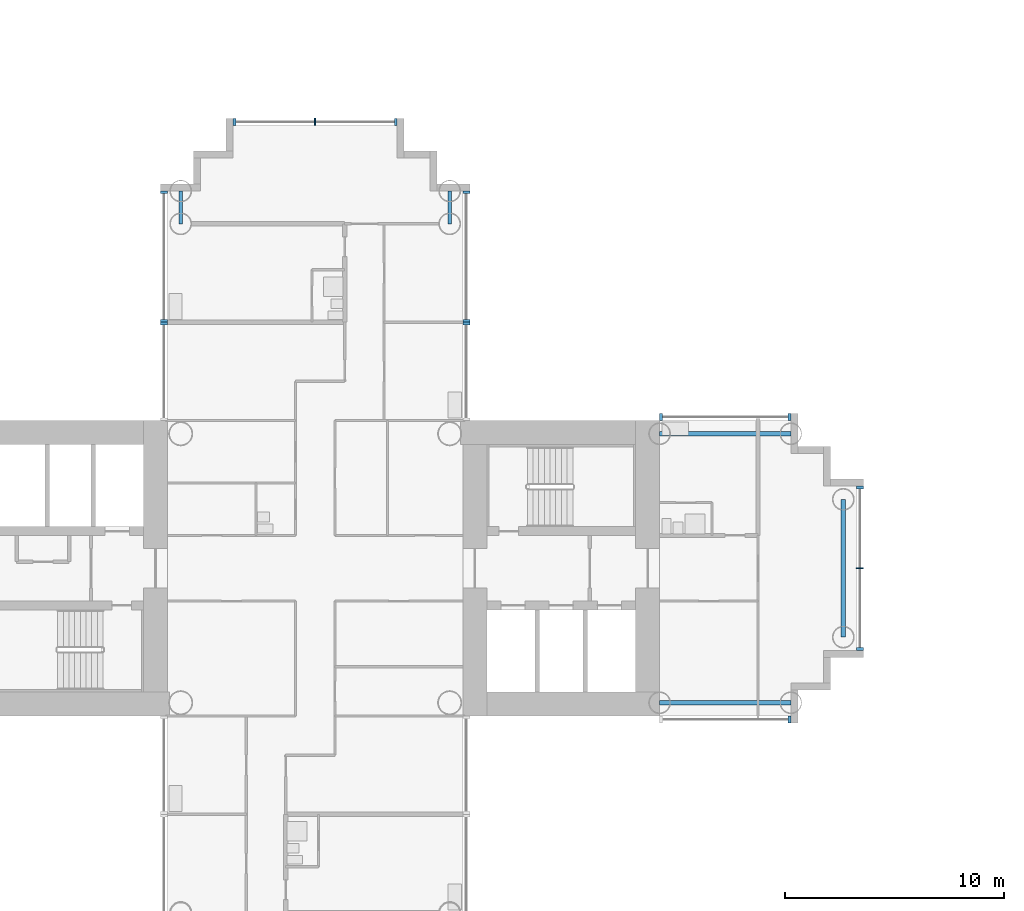
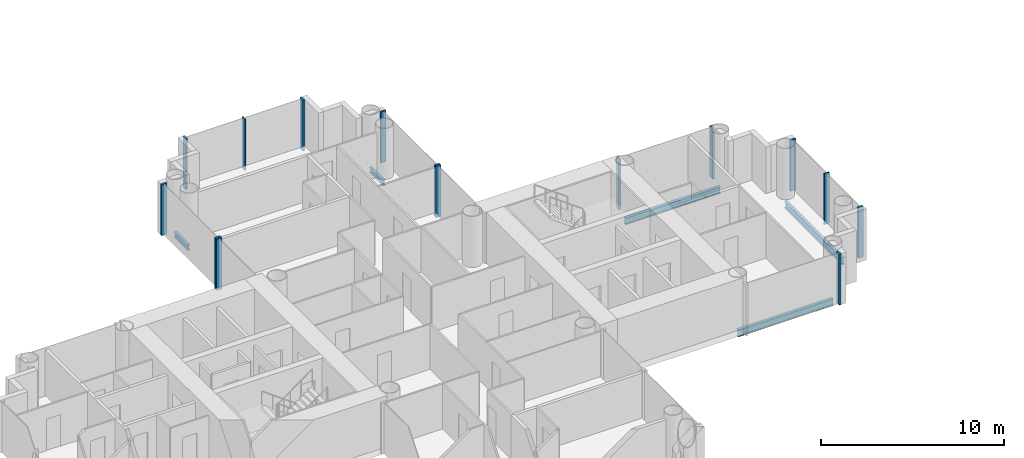
# One storey, part 4 of 22: 15 members, 5 beams, 8 elements without a shape of their own.
"""IFC4 building model written with IfcOpenShell, lengths in metres."""

from ifc_helpers import new_model, si_unit, direction, frame, origin, origin_2d, place, context, subcontext, project, spatial, rectangle, i_section, extrude, material, layer, layer_set, material_profile, profile_set, type_object, element, aggregate, save


model = new_model("IFC4")

# Units and contexts
model_context = context("Model", 3, precision=1e-05, world=origin(), true_north=direction((0.0, 1.0)))
body_context = subcontext(model_context, "Body", "Model", "MODEL_VIEW")
ifc_project = project(units=[si_unit("LENGTHUNIT", "METRE"), si_unit("AREAUNIT", "SQUARE_METRE"), si_unit("VOLUMEUNIT", "CUBIC_METRE"), si_unit("PLANEANGLEUNIT", "RADIAN"), si_unit("MASSUNIT", "GRAM", prefix="KILO")], contexts=[model_context])

# Site, building, storey
site_placement = place(None, origin())
site = spatial("IfcSite", under=ifc_project, at=site_placement, CompositionType="ELEMENT")
building_placement = place(site_placement, origin())
building = spatial("IfcBuilding", under=site, at=building_placement, Name="Ipe Terrace Towers", CompositionType="ELEMENT")
storey_placement = place(building_placement, frame((0.0, 0.0, 61.89990234375)))
storey = spatial("IfcBuildingStorey", under=building, at=storey_placement, Name="L16", CompositionType="ELEMENT", Elevation=61.89990234375)

# Beams
ifc_material_1 = material(Name="Steel S355", Category="steel")
ifc_material_profile_1 = material_profile(ifc_material_1, i_section(OverallWidth=0.175048828125, OverallDepth=0.35009765625, WebThickness=0.007080078125, FlangeThickness=0.010986328125, at=origin_2d()), Name="H-350x175x7x11")
ifc_profile_set_1 = profile_set([ifc_material_profile_1], Name="Steel S355")
beam_type_1 = type_object("IfcBeamType", Name="H04 EDGE BEAM H-350x175x7x11", PredefinedType="BEAM", material=ifc_profile_set_1)
for number, where, z_axis, x_axis, name in (
    (1, (-29.85009765625, 15.75, -0.574951171875), (0.0, 1.0, 0.0), (-1.0, 0.0, 0.0), "Edge beam T1-EB-B03-B05"),
    (2, (-42.14990234375, 15.75, -0.574951171875), (0.0, 1.0, 0.0), (-1.0, 0.0, 0.0), "Edge beam T1-EB-B04-B06"),
):
    element("IfcBeam", number, at=place(storey_placement, frame(where, z_axis=z_axis, x_axis=x_axis)), inside=storey, type_object=beam_type_1, Name=name, PredefinedType="BEAM", context=body_context, shape_type="SweptSolid", body=[
        extrude(i_section(OverallWidth=0.175048828125, OverallDepth=0.35009765625, WebThickness=0.007080078125, FlangeThickness=0.010986328125, at=origin_2d()), origin(), (0.0, 0.0, 1.0), 1.5),
    ])
ifc_material_2 = material(Name="Steel S355", Category="steel")
ifc_material_profile_2 = material_profile(ifc_material_2, i_section(OverallWidth=0.199951171875, OverallDepth=0.449951171875, WebThickness=0.009033203125, FlangeThickness=0.013916015625, at=origin_2d()), Name="H-450x200x9x14")
ifc_profile_set_2 = profile_set([ifc_material_profile_2], Name="Steel S355")
beam_type_2 = type_object("IfcBeamType", Name="H08 EDGE BEAM H-450x200x9x14", PredefinedType="BEAM", material=ifc_profile_set_2)
for number, where, z_axis, x_axis, name in (
    (3, (-20.25, -6.14990234375, -0.625), (1.0, 0.0, 0.0), (0.0, 1.0, 0.0), "Edge beam T1-EB-A01-A03"),
    (4, (-20.25, 6.14990234375, -0.625), (1.0, 0.0, 0.0), (0.0, 1.0, 0.0), "Edge beam T1-EB-A02-A04"),
):
    element("IfcBeam", number, at=place(storey_placement, frame(where, z_axis=z_axis, x_axis=x_axis)), inside=storey, type_object=beam_type_2, Name=name, PredefinedType="BEAM", context=body_context, shape_type="SweptSolid", body=[
        extrude(i_section(OverallWidth=0.199951171875, OverallDepth=0.449951171875, WebThickness=0.009033203125, FlangeThickness=0.013916015625, at=origin_2d()), origin(), (0.0, 0.0, 1.0), 6.0),
    ])
beam_placement = place(storey_placement, frame((-11.85009765625, -3.14990234375, -0.625), z_axis=(0.0, 1.0, 0.0), x_axis=(-1.0, 0.0, 0.0)))
element("IfcBeam", 5, at=beam_placement, inside=storey, type_object=beam_type_2, Name="Edge beam T1-EB-A05-A06", PredefinedType="BEAM", context=body_context, shape_type="SweptSolid", body=[
    extrude(i_section(OverallWidth=0.199951171875, OverallDepth=0.449951171875, WebThickness=0.009033203125, FlangeThickness=0.013916015625, at=origin_2d()), origin(), (0.0, 0.0, 1.0), 6.2998046875),
])

# Curtain wall, member
ifc_material_3 = material(Name="Aluminium alloy 6063-T6", Category="aluminium")
ifc_layer = layer(ifc_material_3, 0.320068359375)
ifc_layer_set = layer_set([ifc_layer], Name="TOWER UNITISED CURTAIN WALL")
curtain_wall_type = type_object("IfcCurtainWallType", Name="TOWER UNITISED CURTAIN WALL", PredefinedType="NOTDEFINED", material=ifc_layer_set)
curtain_wall_1_placement = place(storey_placement, origin())
curtain_wall_1 = element("IfcCurtainWall", 6, at=curtain_wall_1_placement, inside=storey, type_object=curtain_wall_type, Name="T1-CW-L16-20b curtain wall", PredefinedType="NOTDEFINED")
ifc_material_4 = material(Name="Aluminium alloy 6063-T6", Category="aluminium")
ifc_material_profile_3 = material_profile(ifc_material_4, rectangle(XDim=0.320068359375, YDim=0.1201171875, at=origin_2d()), Name="TOWER UNITISED CORNER MULLION 320 x 120")
ifc_profile_set_3 = profile_set([ifc_material_profile_3], Name="Aluminium alloy 6063-T6")
member_type_1 = type_object("IfcMemberType", Name="TOWER UNITISED CORNER MULLION 320 x 120", PredefinedType="MULLION", material=ifc_profile_set_3)
member_1_placement = place(storey_placement, frame((-14.31005859375, -6.909912109375, -0.2998046875), z_axis=(0.0, 0.0, 1.0), x_axis=(0.0, -1.0, 0.0)))
member_1 = element("IfcMember", 7, at=member_1_placement, type_object=member_type_1, Name="T1-CW-L16-20b mullion 2", PredefinedType="MULLION", context=body_context, shape_type="SweptSolid", body=[
    extrude(rectangle(XDim=0.320068359375, YDim=0.1201171875, at=origin_2d()), origin(), (0.0, 0.0, 1.0), 3.39990234375),
])
aggregate(curtain_wall_1, [member_1])

# Curtain wall, members
curtain_wall_2_placement = place(storey_placement, origin())
curtain_wall_2 = element("IfcCurtainWall", 8, at=curtain_wall_2_placement, inside=storey, type_object=curtain_wall_type, Name="T1-CW-L16-25a curtain wall", PredefinedType="NOTDEFINED")
member_2_placement = place(storey_placement, frame((-11.090087890625, -3.68994140625, -0.2998046875), z_axis=(0.0, 0.0, 1.0), x_axis=(1.0, 0.0, 0.0)))
member_2 = element("IfcMember", 9, at=member_2_placement, type_object=member_type_1, Name="T1-CW-L16-25a mullion 1", PredefinedType="MULLION", context=body_context, shape_type="SweptSolid", body=[
    extrude(rectangle(XDim=0.320068359375, YDim=0.1201171875, at=origin_2d()), origin(), (0.0, 0.0, 1.0), 3.39990234375),
])
member_3_placement = place(storey_placement, frame((-11.090087890625, 3.68994140625, -0.2998046875), z_axis=(0.0, 0.0, 1.0), x_axis=(1.0, 0.0, 0.0)))
member_3 = element("IfcMember", 10, at=member_3_placement, type_object=member_type_1, Name="T1-CW-L16-25a mullion 3", PredefinedType="MULLION", context=body_context, shape_type="SweptSolid", body=[
    extrude(rectangle(XDim=0.320068359375, YDim=0.1201171875, at=origin_2d()), origin(), (0.0, 0.0, 1.0), 3.39990234375),
])

curtain_wall_3_placement = place(storey_placement, origin())
curtain_wall_3 = element("IfcCurtainWall", 11, at=curtain_wall_3_placement, inside=storey, type_object=curtain_wall_type, Name="T1-CW-L16-30a curtain wall", PredefinedType="NOTDEFINED")
member_4_placement = place(storey_placement, frame((-14.31005859375, 6.909912109375, -0.2998046875), z_axis=(0.0, 0.0, 1.0), x_axis=(0.0, 1.0, 0.0)))
member_4 = element("IfcMember", 12, at=member_4_placement, type_object=member_type_1, Name="T1-CW-L16-30a mullion 1", PredefinedType="MULLION", context=body_context, shape_type="SweptSolid", body=[
    extrude(rectangle(XDim=0.320068359375, YDim=0.1201171875, at=origin_2d()), origin(), (0.0, 0.0, 1.0), 3.39990234375),
])
member_5_placement = place(storey_placement, frame((-20.18896484375, 6.909912109375, -0.2998046875), z_axis=(0.0, 0.0, 1.0), x_axis=(0.0, 1.0, 0.0)))
member_5 = element("IfcMember", 13, at=member_5_placement, type_object=member_type_1, Name="T1-CW-L16-30a mullion 2", PredefinedType="MULLION", context=body_context, shape_type="SweptSolid", body=[
    extrude(rectangle(XDim=0.320068359375, YDim=0.1201171875, at=origin_2d()), origin(), (0.0, 0.0, 1.0), 3.39990234375),
])
aggregate(curtain_wall_3, [member_4, member_5])

# Curtain wall, member
curtain_wall_4_placement = place(storey_placement, origin())
curtain_wall_4 = element("IfcCurtainWall", 14, at=curtain_wall_4_placement, inside=storey, type_object=curtain_wall_type, Name="T1-CW-L16-32a curtain wall", PredefinedType="NOTDEFINED")
member_6_placement = place(storey_placement, frame((-29.090087890625, 11.18994140625, -0.2998046875), z_axis=(0.0, 0.0, 1.0), x_axis=(1.0, 0.0, 0.0)))
member_6 = element("IfcMember", 15, at=member_6_placement, type_object=member_type_1, Name="T1-CW-L16-32a mullion 2", PredefinedType="MULLION", context=body_context, shape_type="SweptSolid", body=[
    extrude(rectangle(XDim=0.320068359375, YDim=0.1201171875, at=origin_2d()), origin(), (0.0, 0.0, 1.0), 3.39990234375),
])
aggregate(curtain_wall_4, [member_6])

# Curtain wall, members
curtain_wall_5_placement = place(storey_placement, origin())
curtain_wall_5 = element("IfcCurtainWall", 16, at=curtain_wall_5_placement, inside=storey, type_object=curtain_wall_type, Name="T1-CW-L16-33a curtain wall", PredefinedType="NOTDEFINED")
member_7_placement = place(storey_placement, frame((-29.090087890625, 11.31005859375, -0.2998046875), z_axis=(0.0, 0.0, 1.0), x_axis=(1.0, 0.0, 0.0)))
member_7 = element("IfcMember", 17, at=member_7_placement, type_object=member_type_1, Name="T1-CW-L16-33a mullion 1", PredefinedType="MULLION", context=body_context, shape_type="SweptSolid", body=[
    extrude(rectangle(XDim=0.320068359375, YDim=0.1201171875, at=origin_2d()), origin(), (0.0, 0.0, 1.0), 3.39990234375),
])
member_8_placement = place(storey_placement, frame((-29.090087890625, 17.18994140625, -0.2998046875), z_axis=(0.0, 0.0, 1.0), x_axis=(1.0, 0.0, 0.0)))
member_8 = element("IfcMember", 18, at=member_8_placement, type_object=member_type_1, Name="T1-CW-L16-33a mullion 2", PredefinedType="MULLION", context=body_context, shape_type="SweptSolid", body=[
    extrude(rectangle(XDim=0.320068359375, YDim=0.1201171875, at=origin_2d()), origin(), (0.0, 0.0, 1.0), 3.39990234375),
])
aggregate(curtain_wall_5, [member_7, member_8])

curtain_wall_6_placement = place(storey_placement, origin())
curtain_wall_6 = element("IfcCurtainWall", 19, at=curtain_wall_6_placement, inside=storey, type_object=curtain_wall_type, Name="T1-CW-L16-38a curtain wall", PredefinedType="NOTDEFINED")
member_9_placement = place(storey_placement, frame((-32.31005859375, 20.409912109375, -0.2998046875), z_axis=(0.0, 0.0, 1.0), x_axis=(0.0, 1.0, 0.0)))
member_9 = element("IfcMember", 20, at=member_9_placement, type_object=member_type_1, Name="T1-CW-L16-38a mullion 1", PredefinedType="MULLION", context=body_context, shape_type="SweptSolid", body=[
    extrude(rectangle(XDim=0.320068359375, YDim=0.1201171875, at=origin_2d()), origin(), (0.0, 0.0, 1.0), 3.39990234375),
])
member_10_placement = place(storey_placement, frame((-39.68994140625, 20.409912109375, -0.2998046875), z_axis=(0.0, 0.0, 1.0), x_axis=(0.0, 1.0, 0.0)))
member_10 = element("IfcMember", 21, at=member_10_placement, type_object=member_type_1, Name="T1-CW-L16-38a mullion 3", PredefinedType="MULLION", context=body_context, shape_type="SweptSolid", body=[
    extrude(rectangle(XDim=0.320068359375, YDim=0.1201171875, at=origin_2d()), origin(), (0.0, 0.0, 1.0), 3.39990234375),
])

curtain_wall_7_placement = place(storey_placement, origin())
curtain_wall_7 = element("IfcCurtainWall", 22, at=curtain_wall_7_placement, inside=storey, type_object=curtain_wall_type, Name="T1-CW-L16-43a curtain wall", PredefinedType="NOTDEFINED")
member_11_placement = place(storey_placement, frame((-42.909912109375, 17.18994140625, -0.2998046875), z_axis=(0.0, 0.0, 1.0), x_axis=(-1.0, 0.0, 0.0)))
member_11 = element("IfcMember", 23, at=member_11_placement, type_object=member_type_1, Name="T1-CW-L16-43a mullion 1", PredefinedType="MULLION", context=body_context, shape_type="SweptSolid", body=[
    extrude(rectangle(XDim=0.320068359375, YDim=0.1201171875, at=origin_2d()), origin(), (0.0, 0.0, 1.0), 3.39990234375),
])
member_12_placement = place(storey_placement, frame((-42.909912109375, 11.31005859375, -0.2998046875), z_axis=(0.0, 0.0, 1.0), x_axis=(-1.0, 0.0, 0.0)))
member_12 = element("IfcMember", 24, at=member_12_placement, type_object=member_type_1, Name="T1-CW-L16-43a mullion 2", PredefinedType="MULLION", context=body_context, shape_type="SweptSolid", body=[
    extrude(rectangle(XDim=0.320068359375, YDim=0.1201171875, at=origin_2d()), origin(), (0.0, 0.0, 1.0), 3.39990234375),
])
aggregate(curtain_wall_7, [member_11, member_12])

# Curtain wall, member
curtain_wall_8_placement = place(storey_placement, origin())
curtain_wall_8 = element("IfcCurtainWall", 25, at=curtain_wall_8_placement, inside=storey, type_object=curtain_wall_type, Name="T1-CW-L16-44a curtain wall", PredefinedType="NOTDEFINED")
member_13_placement = place(storey_placement, frame((-42.909912109375, 11.18994140625, -0.2998046875), z_axis=(0.0, 0.0, 1.0), x_axis=(-1.0, 0.0, 0.0)))
member_13 = element("IfcMember", 26, at=member_13_placement, type_object=member_type_1, Name="T1-CW-L16-44a mullion 1", PredefinedType="MULLION", context=body_context, shape_type="SweptSolid", body=[
    extrude(rectangle(XDim=0.320068359375, YDim=0.1201171875, at=origin_2d()), origin(), (0.0, 0.0, 1.0), 3.39990234375),
])
aggregate(curtain_wall_8, [member_13])

# Member
ifc_material_5 = material(Name="Aluminium alloy 6063-T6", Category="aluminium")
ifc_material_profile_4 = material_profile(ifc_material_5, rectangle(XDim=0.320068359375, YDim=0.06494140625, at=origin_2d()), Name="TOWER UNITISED MULLION 320 x 65")
ifc_profile_set_4 = profile_set([ifc_material_profile_4], Name="Aluminium alloy 6063-T6")
member_type_2 = type_object("IfcMemberType", Name="TOWER UNITISED MULLION 320 x 65", PredefinedType="MULLION", material=ifc_profile_set_4)
member_14_placement = place(storey_placement, frame((-11.090087890625, 0.0, -0.2998046875), z_axis=(0.0, 0.0, 1.0), x_axis=(1.0, 0.0, 0.0)))
member_14 = element("IfcMember", 27, at=member_14_placement, type_object=member_type_2, Name="T1-CW-L16-25a mullion 2", PredefinedType="MULLION", context=body_context, shape_type="SweptSolid", body=[
    extrude(rectangle(XDim=0.320068359375, YDim=0.06494140625, at=origin_2d()), origin(), (0.0, 0.0, 1.0), 3.39990234375),
])

aggregate(curtain_wall_2, [member_2, member_14, member_3])

member_15_placement = place(storey_placement, frame((-36.0, 20.409912109375, -0.2998046875), z_axis=(0.0, 0.0, 1.0), x_axis=(0.0, 1.0, 0.0)))
member_15 = element("IfcMember", 28, at=member_15_placement, type_object=member_type_2, Name="T1-CW-L16-38a mullion 2", PredefinedType="MULLION", context=body_context, shape_type="SweptSolid", body=[
    extrude(rectangle(XDim=0.320068359375, YDim=0.06494140625, at=origin_2d()), origin(), (0.0, 0.0, 1.0), 3.39990234375),
])

aggregate(curtain_wall_6, [member_9, member_15, member_10])

save(model, "model.ifc")
